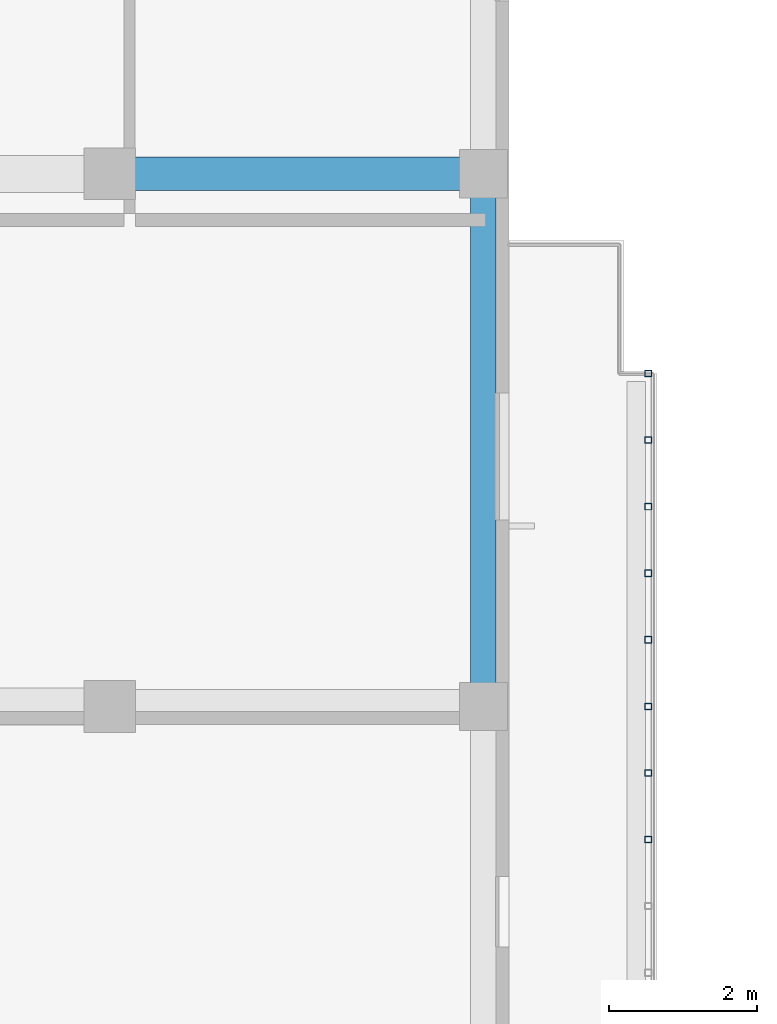
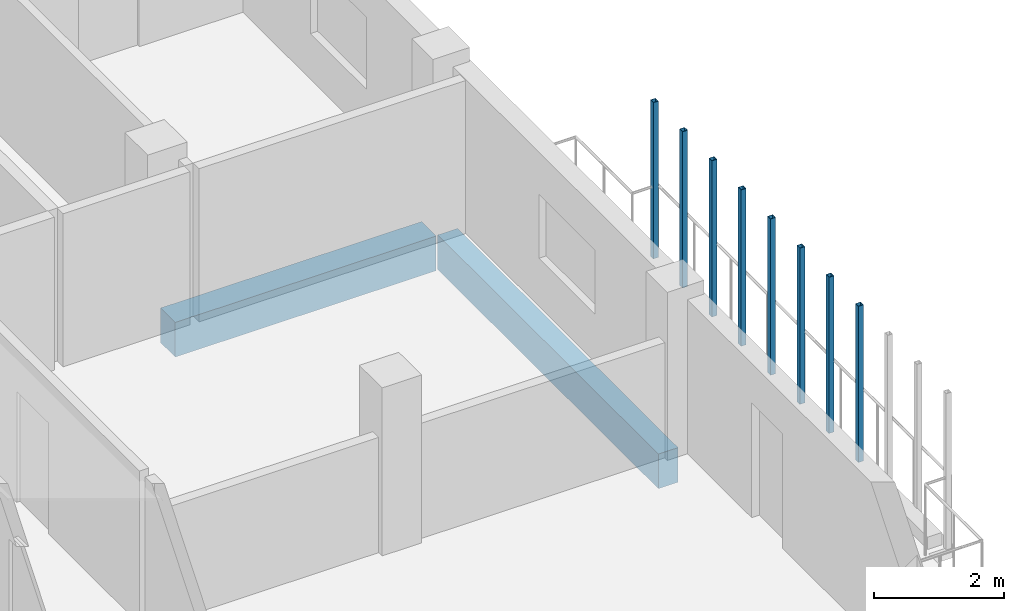
# One storey, part 12 of 56: 8 members, 2 beams.
"""IFC4 building model written with IfcOpenShell, lengths in metres."""

import ifcopenshell
import ifcopenshell.guid

model = None  # the IFC model being written
_history = None  # IfcOwnerHistory: only IFC2X3 demands one
_inside = {}  # id of a spatial element -> (the spatial element, [elements in it])
_under = {}  # id of a project, library or spatial element -> (it, [spatial elements below it])
_declared = {}  # id of a project -> (the project, [libraries it declares])
_typed = {}  # id of a type object -> (the type object, [elements of that type])
_made_of = {}  # id of a material, layer set ... -> (it, [elements and type objects made of it])


def new_model(schema):
    """Start an empty IFC model of exactly this schema.

    Asked for "IFC4X3", IfcOpenShell would pick the latest addendum, in which some entities
    have other attributes; the version numbers below select the first issue.
    IFC2X3 requires an IfcOwnerHistory on every rooted entity: one is made here for all.
    """
    global model, _history
    if schema == "IFC4X3":
        model = ifcopenshell.file(schema_version=(4, 3, 0, 0))
    else:
        model = ifcopenshell.file(schema=schema)
    _inside.clear()
    _under.clear()
    _declared.clear()
    _typed.clear()
    _made_of.clear()
    _history = None
    if model.schema == "IFC2X3":
        org = make("IfcOrganization", Name="unknown")
        user = make(
            "IfcPersonAndOrganization",
            ThePerson=make("IfcPerson", FamilyName="unknown"),
            TheOrganization=org,
        )
        app = make(
            "IfcApplication",
            ApplicationDeveloper=org,
            Version="unknown",
            ApplicationFullName="unknown",
            ApplicationIdentifier="unknown",
        )
        _history = make(
            "IfcOwnerHistory",
            OwningUser=user,
            OwningApplication=app,
            ChangeAction="ADDED",
            CreationDate=0,
        )
    return model


def make(cls, **values):
    """One entity of the class cls with the attributes given. An attribute that is None is left unset."""
    return model.create_entity(
        cls, **{name: value for name, value in values.items() if value is not None}
    )


def rooted(cls, **values):
    """An entity with a GlobalId (a new one), such as an element, a storey or a relation."""
    return make(cls, GlobalId=ifcopenshell.guid.new(), OwnerHistory=_history, **values)


def si_unit(unit_type, name, prefix=None):
    """IfcSIUnit, for example si_unit("LENGTHUNIT", "METRE", prefix="MILLI")."""
    return make("IfcSIUnit", UnitType=unit_type, Prefix=prefix, Name=name)


def derived_unit(unit_type, elements):
    """IfcDerivedUnit: a product of units, each with its exponent."""
    return make(
        "IfcDerivedUnit",
        Elements=[
            make("IfcDerivedUnitElement", Unit=unit, Exponent=power)
            for unit, power in elements
        ],
        UnitType=unit_type,
    )


def assignment(units):
    """IfcUnitAssignment: the units of a project."""
    return None if units is None else make("IfcUnitAssignment", Units=units)


def point(xyz):
    """IfcCartesianPoint."""
    return None if xyz is None else make("IfcCartesianPoint", Coordinates=xyz)


def direction(xyz):
    """IfcDirection."""
    return None if xyz is None else make("IfcDirection", DirectionRatios=xyz)


def frame(location, z_axis=None, x_axis=None):
    """IfcAxis2Placement3D, a coordinate frame: its origin and axes. An axis left out is left unset."""
    return make(
        "IfcAxis2Placement3D",
        Location=point(location),
        Axis=direction(z_axis),
        RefDirection=direction(x_axis),
    )


def frame_2d(location, x_axis=None):
    """IfcAxis2Placement2D, a coordinate frame in the plane: its origin and x axis."""
    return make(
        "IfcAxis2Placement2D", Location=point(location), RefDirection=direction(x_axis)
    )


def origin():
    """The frame at (0, 0, 0) with its axes left unset."""
    return frame((0.0, 0.0, 0.0))


def origin_2d():
    """The frame at (0, 0) in the plane with its x axis left unset."""
    return frame_2d((0.0, 0.0))


def place(relative_to, where):
    """IfcLocalPlacement: puts the frame where relative to a parent placement (None: the world)."""
    return make(
        "IfcLocalPlacement", PlacementRelTo=relative_to, RelativePlacement=where
    )


def context(
    kind, dimensions, precision=None, world=None, true_north=None, identifier=None
):
    """IfcGeometricRepresentationContext, for example the 3D "Model" context."""
    return make(
        "IfcGeometricRepresentationContext",
        ContextIdentifier=identifier,
        ContextType=kind,
        CoordinateSpaceDimension=dimensions,
        Precision=precision,
        WorldCoordinateSystem=world,
        TrueNorth=true_north,
    )


def subcontext(parent, identifier, kind, view, scale=None):
    """IfcGeometricRepresentationSubContext, for example "Body" below "Model"."""
    return make(
        "IfcGeometricRepresentationSubContext",
        ContextIdentifier=identifier,
        ContextType=kind,
        ParentContext=parent,
        TargetScale=scale,
        TargetView=view,
    )


def project(units=None, contexts=None):
    """IfcProject with its units and contexts."""
    return rooted(
        "IfcProject",
        Name="project",
        RepresentationContexts=contexts,
        UnitsInContext=assignment(units),
    )


def spatial(cls, under=None, at=None, **own):
    """A site, building, storey or space (cls), placed at a placement, below another one or the project."""
    s = rooted(cls, ObjectPlacement=at, **own)
    if under is not None:
        _under.setdefault(under.id(), (under, []))[1].append(s)
    return s


def profile(cls, at=None, kind="AREA", **sizes):
    """A parametric profile (cls). Its sizes go by their IFC names, for example OverallWidth=200.0."""
    return make(cls, ProfileType=kind, Position=at, **sizes)


def rectangle(**sizes):
    """IfcRectangleProfileDef."""
    return profile("IfcRectangleProfileDef", **sizes)


def hollow_rectangle(**sizes):
    """IfcRectangleHollowProfileDef."""
    return profile("IfcRectangleHollowProfileDef", **sizes)


def extrude(swept, where, along, depth):
    """IfcExtrudedAreaSolid: the profile swept, set in the frame where, extruded along a direction by depth."""
    return make(
        "IfcExtrudedAreaSolid",
        SweptArea=swept,
        Position=where,
        ExtrudedDirection=direction(along),
        Depth=depth,
    )


def shape(context_of_items, identifier, shape_type, items):
    """IfcShapeRepresentation: the items that make up one representation, for example the "Body"."""
    return make(
        "IfcShapeRepresentation",
        ContextOfItems=context_of_items,
        RepresentationIdentifier=identifier,
        RepresentationType=shape_type,
        Items=items,
    )


def material(Name=None, Category=None):
    """IfcMaterial."""
    return make("IfcMaterial", Name=Name, Category=Category)


def material_profile(
    of_material, cross_section, Name=None, Category=None, Priority=None
):
    """IfcMaterialProfile: a cross section and its material."""
    return make(
        "IfcMaterialProfile",
        Name=Name,
        Material=of_material,
        Profile=cross_section,
        Priority=Priority,
        Category=Category,
    )


def profile_set(profiles, Name=None, composite=None):
    """IfcMaterialProfileSet."""
    return make(
        "IfcMaterialProfileSet",
        Name=Name,
        MaterialProfiles=profiles,
        CompositeProfile=composite,
    )


def made_of(thing, what):
    """Note that an element or type object is made of a material, layer set ...; save() writes the relation."""
    if what is not None:
        _made_of.setdefault(what.id(), (what, []))[1].append(thing)
    return thing


def type_object(cls, material=None, **own):
    """A type object (cls), such as IfcWallType, which elements share."""
    return made_of(rooted(cls, **own), material)


def element(
    cls,
    number,
    at=None,
    inside=None,
    cuts=None,
    type_object=None,
    material=None,
    context=None,
    identifier="Body",
    shape_type=None,
    held_by="IfcProductDefinitionShape",
    body=None,
    shapes=None,
    **own,
):
    """One element of the class cls, such as IfcWall. Its Tag is "e" and its number.

    at: its placement. inside: the storey or other place that contains it. cuts: it is an
    opening in that element (IfcRelVoidsElement). A single representation is given by context,
    identifier, shape_type and body (its items); several are given by shapes. held_by: the class
    of the entity that holds the representations. save() writes the other relations.
    """
    e = rooted(cls, Tag="e%d" % number, ObjectPlacement=at, **own)
    if body is not None:
        shapes = [shape(context, identifier, shape_type, body)]
    if shapes is not None:
        e.Representation = make(held_by, Representations=shapes)
    if inside is not None:
        _inside.setdefault(inside.id(), (inside, []))[1].append(e)
    if cuts is not None:
        rooted(
            "IfcRelVoidsElement", RelatingBuildingElement=cuts, RelatedOpeningElement=e
        )
    if type_object is not None:
        _typed.setdefault(type_object.id(), (type_object, []))[1].append(e)
    return made_of(e, material)


def aggregate(whole, parts):
    """IfcRelAggregates: a whole, such as a stair, and the parts it consists of."""
    return rooted("IfcRelAggregates", RelatingObject=whole, RelatedObjects=parts)


def save(model, path):
    """Write the relations noted so far, then the file.

    IfcRelAggregates (storeys below a building ...), IfcRelContainedInSpatialStructure (elements
    in a storey), IfcRelDefinesByType, IfcRelAssociatesMaterial and IfcRelDeclares: one each for
    every whole, place, type object, material and project.
    """
    for whole, parts in _under.values():
        aggregate(whole, parts)
    for where, things in _inside.values():
        rooted(
            "IfcRelContainedInSpatialStructure",
            RelatedElements=things,
            RelatingStructure=where,
        )
    for kind, things in _typed.values():
        rooted("IfcRelDefinesByType", RelatedObjects=things, RelatingType=kind)
    for what, things in _made_of.values():
        rooted("IfcRelAssociatesMaterial", RelatedObjects=things, RelatingMaterial=what)
    for by, libraries in _declared.values():
        rooted("IfcRelDeclares", RelatingContext=by, RelatedDefinitions=libraries)
    model.write(path)


model = new_model("IFC4")

# Units and contexts
model_context = context("Model", 3, precision=1e-05, world=origin(), true_north=direction((0.0, 1.0)))
body_context = subcontext(model_context, "Body", "Model", "MODEL_VIEW")
ifc_project = project(units=[si_unit("LENGTHUNIT", "METRE"), si_unit("AREAUNIT", "SQUARE_METRE"), si_unit("VOLUMEUNIT", "CUBIC_METRE"), si_unit("PLANEANGLEUNIT", "RADIAN"), si_unit("MASSUNIT", "GRAM", prefix="KILO"), derived_unit("THERMALTRANSMITTANCEUNIT", [(si_unit("MASSUNIT", "GRAM", prefix="KILO"), 1), (si_unit("TIMEUNIT", "SECOND"), -3), (si_unit("THERMODYNAMICTEMPERATUREUNIT", "KELVIN"), -1)])], contexts=[model_context])

# Site, building, storey
site_placement = place(None, origin())
site = spatial("IfcSite", under=ifc_project, at=site_placement, CompositionType="ELEMENT")
building_placement = place(site_placement, origin())
building = spatial("IfcBuilding", under=site, at=building_placement, Name="Ochrekiln Boulevard Commons", CompositionType="ELEMENT")
storey_placement = place(building_placement, frame((0.0, 0.0, 12.074951171875)))
storey = spatial("IfcBuildingStorey", under=building, at=storey_placement, Name="L03", CompositionType="ELEMENT", Elevation=12.074951171875)

# Beam
ifc_material_1 = material(Name="Concrete C35/45", Category="concrete")
ifc_material_profile_1 = material_profile(ifc_material_1, rectangle(XDim=0.449951171875, YDim=0.64990234375, at=origin_2d()), Name="RC-BM-450x650")
ifc_profile_set_1 = profile_set([ifc_material_profile_1], Name="Concrete C35/45")
beam_type_1 = type_object("IfcBeamType", Name="BM-RC-450x650", PredefinedType="BEAM", material=ifc_profile_set_1)
beam_1_placement = place(storey_placement, frame((16.409912109375, 90.0, -0.5849609375), z_axis=(1.0, 0.0, 0.0), x_axis=(0.0, 1.0, 0.0)))
element("IfcBeam", 1, at=beam_1_placement, inside=storey, type_object=beam_type_1, Name="Block A L03 Beam B-4565 X11", PredefinedType="BEAM", context=body_context, shape_type="SweptSolid", body=[
    extrude(rectangle(XDim=0.449951171875, YDim=0.64990234375, at=origin_2d()), origin(), (0.0, 0.0, 1.0), 4.630126953125),
])

# Members
ifc_material_2 = material(Name="Steel A500 Grade C", Category="steel")
ifc_material_profile_2 = material_profile(ifc_material_2, hollow_rectangle(XDim=0.090087890625, YDim=0.090087890625, WallThickness=0.00634765625, at=origin_2d()), Name="HSS90X90X6.4")
ifc_profile_set_2 = profile_set([ifc_material_profile_2], Name="Steel A500 Grade C")
member_type = type_object("IfcMemberType", Name="MEM-PST-HSS90", PredefinedType="POST", material=ifc_profile_set_2)
for number, where, z_axis, x_axis, name in (
    (2, (23.47998046875, 81.0, 0.0), (0.0, 0.0, 1.0), (1.0, 0.0, 0.0), "Block A L03 Slim Vertical Balcony Post (70)"),
    (3, (23.47998046875, 81.89990234375, 0.0), (0.0, 0.0, 1.0), (1.0, 0.0, 0.0), "Block A L03 Slim Vertical Balcony Post (71)"),
    (4, (23.47998046875, 82.800048828125, 0.0), (0.0, 0.0, 1.0), (1.0, 0.0, 0.0), "Block A L03 Slim Vertical Balcony Post (72)"),
    (5, (23.47998046875, 83.699951171875, 0.0), (0.0, 0.0, 1.0), (1.0, 0.0, 0.0), "Block A L03 Slim Vertical Balcony Post (73)"),
    (6, (23.47998046875, 84.60009765625, 0.0), (0.0, 0.0, 1.0), (1.0, 0.0, 0.0), "Block A L03 Slim Vertical Balcony Post (74)"),
    (7, (23.47998046875, 85.5, 0.0), (0.0, 0.0, 1.0), (1.0, 0.0, 0.0), "Block A L03 Slim Vertical Balcony Post (75)"),
    (8, (23.47998046875, 86.39990234375, 0.0), (0.0, 0.0, 1.0), (1.0, 0.0, 0.0), "Block A L03 Slim Vertical Balcony Post (76)"),
    (9, (23.47998046875, 87.300048828125, 0.0), (0.0, 0.0, 1.0), (1.0, 0.0, 0.0), "Block A L03 Slim Vertical Balcony Post (77)"),
):
    element("IfcMember", number, at=place(storey_placement, frame(where, z_axis=z_axis, x_axis=x_axis)), inside=storey, type_object=member_type, Name=name, PredefinedType="POST", context=body_context, shape_type="SweptSolid", body=[
        extrude(hollow_rectangle(XDim=0.090087890625, YDim=0.090087890625, WallThickness=0.00634765625, at=origin_2d()), origin(), (0.0, 0.0, 1.0), 2.929931640625),
    ])

# Beam
ifc_material_3 = material(Name="Concrete C40/50", Category="concrete")
ifc_material_profile_3 = material_profile(ifc_material_3, rectangle(XDim=0.35009765625, YDim=0.64990234375, at=origin_2d()), Name="RC-SPN-350x650")
ifc_profile_set_3 = profile_set([ifc_material_profile_3], Name="Concrete C40/50")
beam_type_2 = type_object("IfcBeamType", Name="SPN-RC-350x650", PredefinedType="SPANDREL", material=ifc_profile_set_3)
beam_2_placement = place(storey_placement, frame((21.25, 83.010009765625, -0.5849609375), z_axis=(0.0, 1.0, 0.0), x_axis=(-1.0, 0.0, 0.0)))
element("IfcBeam", 10, at=beam_2_placement, inside=storey, type_object=beam_type_2, Name="Block A L03 Beam SP-3565 Y32", PredefinedType="SPANDREL", context=body_context, shape_type="SweptSolid", body=[
    extrude(rectangle(XDim=0.35009765625, YDim=0.64990234375, at=origin_2d()), origin(), (0.0, 0.0, 1.0), 6.780029296875),
])

save(model, "model.ifc")
